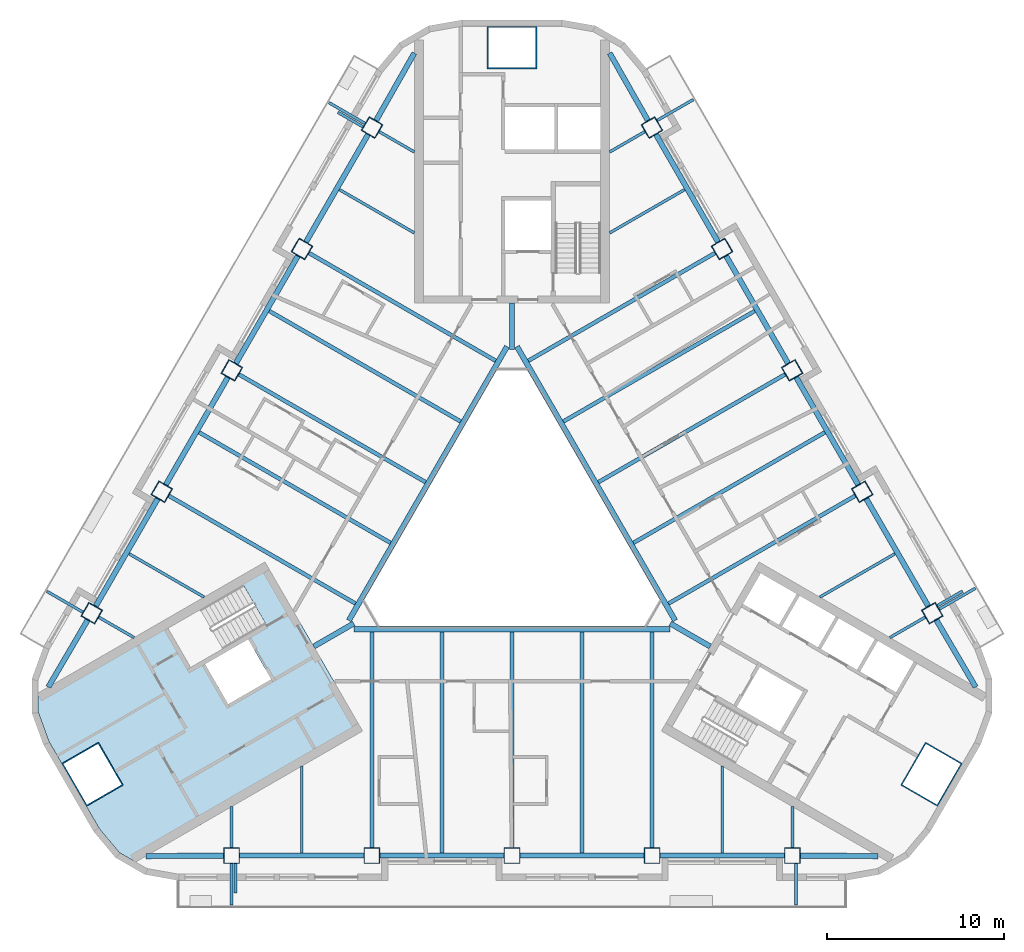
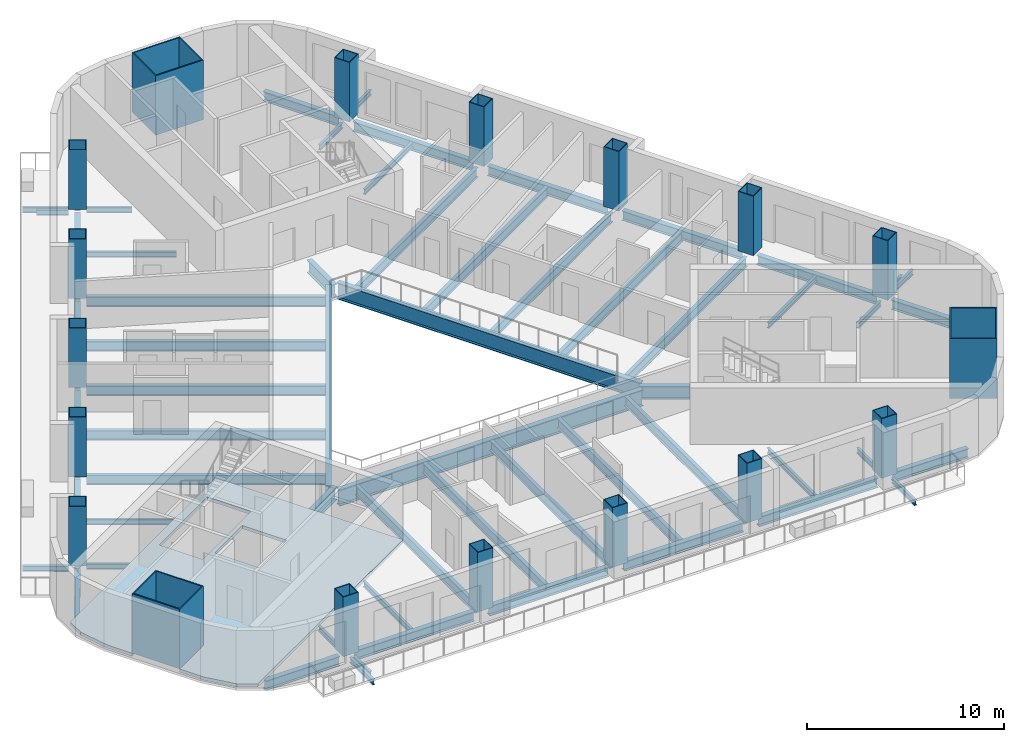
# One storey, part 1 of 14: 60 beams, 18 columns, 1 slab.
"""IFC4 building model written with IfcOpenShell, lengths in metres."""

from ifc_helpers import new_model, si_unit, direction, frame, origin, origin_2d, place, context, subcontext, project, spatial, polyline, rectangle, hollow_rectangle, i_section, outline, extrude, material, layer, layer_set, material_profile, profile_set, type_object, element, save


model = new_model("IFC4")

# Units and contexts
model_context = context("Model", 3, precision=1e-05, world=origin(), true_north=direction((0.0, 1.0)))
body_context = subcontext(model_context, "Body", "Model", "MODEL_VIEW")
ifc_project = project(units=[si_unit("LENGTHUNIT", "METRE"), si_unit("AREAUNIT", "SQUARE_METRE"), si_unit("VOLUMEUNIT", "CUBIC_METRE"), si_unit("PLANEANGLEUNIT", "RADIAN"), si_unit("MASSUNIT", "GRAM", prefix="KILO")], contexts=[model_context])

# Site, building, storey
site_placement = place(None, origin())
site = spatial("IfcSite", under=ifc_project, at=site_placement, CompositionType="ELEMENT")
building_placement = place(site_placement, origin())
building = spatial("IfcBuilding", under=site, at=building_placement, Name="Apuvela Tower Hotel", CompositionType="ELEMENT")
storey_placement = place(building_placement, frame((0.0, 0.0, 116.800048828125)))
storey = spatial("IfcBuildingStorey", under=building, at=storey_placement, Name="L27", CompositionType="ELEMENT", Elevation=116.800048828125)

# Columns
ifc_material_1 = material(Name="Steel S460", Category="steel")
ifc_material_profile_1 = material_profile(ifc_material_1, hollow_rectangle(XDim=2.800048828125, YDim=2.39990234375, WallThickness=0.070068359375, at=origin_2d()), Name="BOX 2800x2400x70")
ifc_material_2 = material(Name="Concrete C80/95", Category="concrete")
ifc_material_profile_2 = material_profile(ifc_material_2, rectangle(XDim=2.659912109375, YDim=2.260009765625, at=origin_2d()), Name="Concrete C80/95 infill")
ifc_profile_set_1 = profile_set([ifc_material_profile_1, ifc_material_profile_2], Name="Steel S460")
column_type_1 = type_object("IfcColumnType", Name="STR-MC mega column BOX 2800x2400x70", PredefinedType="COLUMN", material=ifc_profile_set_1)
for number, where, z_axis, x_axis, name in (
    (1, (0.0, 27.300048828125, 0.0), (0.0, 0.0, 1.0), (1.0, 0.0, 0.0), "Mega column MC2 N"),
    (2, (-23.642578125, -13.64990234375, 0.0), (0.0, 0.0, 1.0), (-0.5, 0.866025403784, 0.0), "Mega column MC2 SW"),
    (3, (23.642578125, -13.64990234375, 0.0), (0.0, 0.0, 1.0), (0.5, 0.866025403784, 0.0), "Mega column MC2 SE"),
):
    element("IfcColumn", number, at=place(storey_placement, frame(where, z_axis=z_axis, x_axis=x_axis)), inside=storey, type_object=column_type_1, Name=name, PredefinedType="COLUMN", context=body_context, shape_type="SweptSolid", body=[
        extrude(hollow_rectangle(XDim=2.800048828125, YDim=2.39990234375, WallThickness=0.070068359375, at=origin_2d()), origin(), (0.0, 0.0, 1.0), 3.699951171875),
    ])
ifc_material_profile_3 = material_profile(ifc_material_1, hollow_rectangle(XDim=0.89990234375, YDim=0.89990234375, WallThickness=0.0400390625, at=origin_2d()), Name="BOX 900x900x40")
ifc_material_profile_4 = material_profile(ifc_material_2, rectangle(XDim=0.820068359375, YDim=0.820068359375, at=origin_2d()), Name="Concrete C80/95 infill")
ifc_profile_set_2 = profile_set([ifc_material_profile_3, ifc_material_profile_4], Name="Steel S460")
column_type_2 = type_object("IfcColumnType", Name="STR-PC perimeter column BOX 900x900x40", PredefinedType="COLUMN", material=ifc_profile_set_2)
for number, where, z_axis, x_axis, name in (
    (4, (-15.800048828125, -18.22998046875, 0.0), (0.0, 0.0, 1.0), (-1.0, 0.0, 0.0), "Perimeter column C3 S1"),
    (5, (-7.89990234375, -18.22998046875, 0.0), (0.0, 0.0, 1.0), (-1.0, 0.0, 0.0), "Perimeter column C3 S2"),
    (6, (0.0, -18.22998046875, 0.0), (0.0, 0.0, 1.0), (-1.0, 0.0, 0.0), "Perimeter column C3 S3"),
    (7, (7.89990234375, -18.22998046875, 0.0), (0.0, 0.0, 1.0), (-1.0, 0.0, 0.0), "Perimeter column C3 S4"),
    (8, (15.800048828125, -18.22998046875, 0.0), (0.0, 0.0, 1.0), (-1.0, 0.0, 0.0), "Perimeter column C3 S5"),
    (9, (23.6875, -4.568115234375, 0.0), (0.0, 0.0, 1.0), (-0.5, 0.866025403784, 0.0), "Perimeter column C3 NE1"),
    (10, (19.737548828125, 2.2734375, 0.0), (0.0, 0.0, 1.0), (-0.5, 0.866025403784, 0.0), "Perimeter column C3 NE2"),
    (11, (15.78759765625, 9.114990234375, 0.0), (0.0, 0.0, 1.0), (-0.5, 0.866025403784, 0.0), "Perimeter column C3 NE3"),
    (12, (11.837646484375, 15.95654296875, 0.0), (0.0, 0.0, 1.0), (-0.5, 0.866025403784, 0.0), "Perimeter column C3 NE4"),
    (13, (7.8876953125, 22.798095703125, 0.0), (0.0, 0.0, 1.0), (-0.5, 0.866025403784, 0.0), "Perimeter column C3 NE5"),
    (14, (-7.8876953125, 22.798095703125, 0.0), (0.0, 0.0, 1.0), (0.5, 0.866025403784, 0.0), "Perimeter column C3 NW1"),
    (15, (-11.837646484375, 15.95654296875, 0.0), (0.0, 0.0, 1.0), (0.5, 0.866025403784, 0.0), "Perimeter column C3 NW2"),
    (16, (-15.78759765625, 9.114990234375, 0.0), (0.0, 0.0, 1.0), (0.5, 0.866025403784, 0.0), "Perimeter column C3 NW3"),
    (17, (-19.737548828125, 2.2734375, 0.0), (0.0, 0.0, 1.0), (0.5, 0.866025403784, 0.0), "Perimeter column C3 NW4"),
    (18, (-23.6875, -4.568115234375, 0.0), (0.0, 0.0, 1.0), (0.5, 0.866025403784, 0.0), "Perimeter column C3 NW5"),
):
    element("IfcColumn", number, at=place(storey_placement, frame(where, z_axis=z_axis, x_axis=x_axis)), inside=storey, type_object=column_type_2, Name=name, PredefinedType="COLUMN", context=body_context, shape_type="SweptSolid", body=[
        extrude(hollow_rectangle(XDim=0.89990234375, YDim=0.89990234375, WallThickness=0.0400390625, at=origin_2d()), origin(), (0.0, 0.0, 1.0), 3.699951171875),
    ])

# Beams
ifc_material_3 = material(Name="Steel S355", Category="steel")
ifc_material_profile_5 = material_profile(ifc_material_3, i_section(OverallWidth=0.159912109375, OverallDepth=0.330078125, WebThickness=0.007568359375, FlangeThickness=0.011474609375, at=origin_2d()), Name="IPE 330")
ifc_profile_set_3 = profile_set([ifc_material_profile_5], Name="Steel S355")
beam_type_1 = type_object("IfcBeamType", Name="ENV-BALCONY-BEAM-IPE330", PredefinedType="BEAM", material=ifc_profile_set_3)
beam_1_placement = place(storey_placement, frame((-15.800048828125, -18.679931640625, -0.31494140625), z_axis=(0.0, -1.0, 0.0), x_axis=(1.0, 0.0, 0.0)))
element("IfcBeam", 19, at=beam_1_placement, inside=storey, type_object=beam_type_1, Name="Balcony cantilever beam S1 L27", PredefinedType="BEAM", context=body_context, shape_type="SweptSolid", body=[
    extrude(i_section(OverallWidth=0.159912109375, OverallDepth=0.330078125, WebThickness=0.007568359375, FlangeThickness=0.011474609375, at=origin_2d()), origin(), (0.0, 0.0, 1.0), 2.35009765625),
])
beam_2_placement = place(storey_placement, frame((-15.580078125, -18.679931640625, -0.31494140625), z_axis=(0.0, -1.0, 0.0), x_axis=(1.0, 0.0, 0.0)))
element("IfcBeam", 20, at=beam_2_placement, inside=storey, type_object=beam_type_1, Name="Balcony cantilever beam S2 L27", PredefinedType="BEAM", context=body_context, shape_type="SweptSolid", body=[
    extrude(i_section(OverallWidth=0.159912109375, OverallDepth=0.330078125, WebThickness=0.007568359375, FlangeThickness=0.011474609375, at=origin_2d()), origin(), (0.0, 0.0, 1.0), 1.650146484375),
])
for number, where, z_axis, x_axis, name in (
    (21, (16.0, -18.679931640625, -0.31494140625), (0.0, -1.0, 0.0), (1.0, 0.0, 0.0), "Balcony cantilever beam S3 L27"),
    (22, (24.077392578125, -4.34326171875, -0.31494140625), (0.866016039709, 0.500016218704, 0.0), (-0.500016218704, 0.866016039709, 0.0), "Balcony cantilever beam NE1 L27"),
):
    element("IfcBeam", number, at=place(storey_placement, frame(where, z_axis=z_axis, x_axis=x_axis)), inside=storey, type_object=beam_type_1, Name=name, PredefinedType="BEAM", context=body_context, shape_type="SweptSolid", body=[
        extrude(i_section(OverallWidth=0.159912109375, OverallDepth=0.330078125, WebThickness=0.007568359375, FlangeThickness=0.011474609375, at=origin_2d()), origin(), (0.0, 0.0, 1.0), 2.35009765625),
    ])
beam_3_placement = place(storey_placement, frame((23.96728515625, -4.152587890625, -0.31494140625), z_axis=(0.866040211805, 0.499974350878, 0.0), x_axis=(-0.499974350878, 0.866040211805, 0.0)))
element("IfcBeam", 23, at=beam_3_placement, inside=storey, type_object=beam_type_1, Name="Balcony cantilever beam NE2 L27", PredefinedType="BEAM", context=body_context, shape_type="SweptSolid", body=[
    extrude(i_section(OverallWidth=0.159912109375, OverallDepth=0.330078125, WebThickness=0.007568359375, FlangeThickness=0.011474609375, at=origin_2d()), origin(), (0.0, 0.0, 1.0), 1.64990234375),
])
beam_4_placement = place(storey_placement, frame((8.177490234375, 23.1962890625, -0.31494140625), z_axis=(0.865990062348, 0.500061208168, 0.0), x_axis=(-0.500061208168, 0.865990062348, 0.0)))
element("IfcBeam", 24, at=beam_4_placement, inside=storey, type_object=beam_type_1, Name="Balcony cantilever beam NE3 L27", PredefinedType="BEAM", context=body_context, shape_type="SweptSolid", body=[
    extrude(i_section(OverallWidth=0.159912109375, OverallDepth=0.330078125, WebThickness=0.007568359375, FlangeThickness=0.011474609375, at=origin_2d()), origin(), (0.0, 0.0, 1.0), 2.349853515625),
])
beam_5_placement = place(storey_placement, frame((-8.27734375, 23.023193359375, -0.31494140625), z_axis=(-0.866016039709, 0.500016218704, 0.0), x_axis=(-0.500016218704, -0.866016039709, 0.0)))
element("IfcBeam", 25, at=beam_5_placement, inside=storey, type_object=beam_type_1, Name="Balcony cantilever beam NW1 L27", PredefinedType="BEAM", context=body_context, shape_type="SweptSolid", body=[
    extrude(i_section(OverallWidth=0.159912109375, OverallDepth=0.330078125, WebThickness=0.007568359375, FlangeThickness=0.011474609375, at=origin_2d()), origin(), (0.0, 0.0, 1.0), 2.35009765625),
])
beam_6_placement = place(storey_placement, frame((-8.387451171875, 22.832763671875, -0.31494140625), z_axis=(-0.866040211805, 0.499974350878, 0.0), x_axis=(-0.499974350878, -0.866040211805, 0.0)))
element("IfcBeam", 26, at=beam_6_placement, inside=storey, type_object=beam_type_1, Name="Balcony cantilever beam NW2 L27", PredefinedType="BEAM", context=body_context, shape_type="SweptSolid", body=[
    extrude(i_section(OverallWidth=0.159912109375, OverallDepth=0.330078125, WebThickness=0.007568359375, FlangeThickness=0.011474609375, at=origin_2d()), origin(), (0.0, 0.0, 1.0), 1.64990234375),
])
beam_7_placement = place(storey_placement, frame((-24.177490234375, -4.516357421875, -0.31494140625), z_axis=(-0.865990062348, 0.500061208168, 0.0), x_axis=(-0.500061208168, -0.865990062348, 0.0)))
element("IfcBeam", 27, at=beam_7_placement, inside=storey, type_object=beam_type_1, Name="Balcony cantilever beam NW3 L27", PredefinedType="BEAM", context=body_context, shape_type="SweptSolid", body=[
    extrude(i_section(OverallWidth=0.159912109375, OverallDepth=0.330078125, WebThickness=0.007568359375, FlangeThickness=0.011474609375, at=origin_2d()), origin(), (0.0, 0.0, 1.0), 2.349853515625),
])
ifc_material_profile_6 = material_profile(ifc_material_3, i_section(OverallWidth=0.159912109375, OverallDepth=0.330078125, WebThickness=0.007568359375, FlangeThickness=0.011474609375, at=origin_2d()), Name="IPE 330")
ifc_profile_set_4 = profile_set([ifc_material_profile_6], Name="Steel S355")
beam_type_2 = type_object("IfcBeamType", Name="STR-B floor beam IPE 330", PredefinedType="BEAM", material=ifc_profile_set_4)
beam_8_placement = place(storey_placement, frame((23.2978515625, -4.793212890625, -0.31494140625), z_axis=(-0.866000531106, -0.500043078269, 0.0), x_axis=(0.500043078269, -0.866000531106, 0.0)))
element("IfcBeam", 28, at=beam_8_placement, inside=storey, type_object=beam_type_2, Name="Floor beam B1 NE1", PredefinedType="BEAM", context=body_context, shape_type="SweptSolid", body=[
    extrude(i_section(OverallWidth=0.159912109375, OverallDepth=0.330078125, WebThickness=0.007568359375, FlangeThickness=0.011474609375, at=origin_2d()), origin(), (0.0, 0.0, 1.0), 2.306884765625),
])
for number, where, z_axis, x_axis, name in (
    (29, (21.582763671875, -1.222412109375, -0.31494140625), (-0.866015056278, -0.500017921979, 0.0), (0.500017921979, -0.866015056278, 0.0), "Floor beam B1 NE2"),
    (30, (9.732666015625, 19.302490234375, -0.31494140625), (-0.866015056278, -0.500017921979, 0.0), (0.500017921979, -0.866015056278, 0.0), "Floor beam B1 NE8"),
):
    element("IfcBeam", number, at=place(storey_placement, frame(where, z_axis=z_axis, x_axis=x_axis)), inside=storey, type_object=beam_type_2, Name=name, PredefinedType="BEAM", context=body_context, shape_type="SweptSolid", body=[
        extrude(i_section(OverallWidth=0.159912109375, OverallDepth=0.330078125, WebThickness=0.007568359375, FlangeThickness=0.011474609375, at=origin_2d()), origin(), (0.0, 0.0, 1.0), 4.887451171875),
    ])
for number, where, z_axis, x_axis, name in (
    (31, (7.497802734375, 22.5732421875, -0.31494140625), (-0.866000531106, -0.500043078269, 0.0), (0.500043078269, -0.866000531106, 0.0), "Floor beam B1 NE9"),
    (32, (-7.497802734375, 22.5732421875, -0.31494140625), (0.866000531106, -0.500043078269, 0.0), (0.500043078269, 0.866000531106, 0.0), "Floor beam B1 NW1"),
):
    element("IfcBeam", number, at=place(storey_placement, frame(where, z_axis=z_axis, x_axis=x_axis)), inside=storey, type_object=beam_type_2, Name=name, PredefinedType="BEAM", context=body_context, shape_type="SweptSolid", body=[
        extrude(i_section(OverallWidth=0.159912109375, OverallDepth=0.330078125, WebThickness=0.007568359375, FlangeThickness=0.011474609375, at=origin_2d()), origin(), (0.0, 0.0, 1.0), 2.306884765625),
    ])
for number, where, z_axis, x_axis, name in (
    (33, (-9.732666015625, 19.302490234375, -0.31494140625), (0.866015056278, -0.500017921979, 0.0), (0.500017921979, 0.866015056278, 0.0), "Floor beam B1 NW2"),
    (34, (-21.582763671875, -1.222412109375, -0.31494140625), (0.866015056278, -0.500017921979, 0.0), (0.500017921979, 0.866015056278, 0.0), "Floor beam B1 NW8"),
):
    element("IfcBeam", number, at=place(storey_placement, frame(where, z_axis=z_axis, x_axis=x_axis)), inside=storey, type_object=beam_type_2, Name=name, PredefinedType="BEAM", context=body_context, shape_type="SweptSolid", body=[
        extrude(i_section(OverallWidth=0.159912109375, OverallDepth=0.330078125, WebThickness=0.007568359375, FlangeThickness=0.011474609375, at=origin_2d()), origin(), (0.0, 0.0, 1.0), 4.887451171875),
    ])
beam_9_placement = place(storey_placement, frame((-23.2978515625, -4.793212890625, -0.31494140625), z_axis=(0.866000531106, -0.500043078269, 0.0), x_axis=(0.500043078269, 0.866000531106, 0.0)))
element("IfcBeam", 35, at=beam_9_placement, inside=storey, type_object=beam_type_2, Name="Floor beam B1 NW9", PredefinedType="BEAM", context=body_context, shape_type="SweptSolid", body=[
    extrude(i_section(OverallWidth=0.159912109375, OverallDepth=0.330078125, WebThickness=0.007568359375, FlangeThickness=0.011474609375, at=origin_2d()), origin(), (0.0, 0.0, 1.0), 2.306884765625),
])
beam_10_placement = place(storey_placement, frame((-15.800048828125, -17.780029296875, -0.31494140625), z_axis=(0.0, 1.0, 0.0), x_axis=(-1.0, 0.0, 0.0)))
element("IfcBeam", 36, at=beam_10_placement, inside=storey, type_object=beam_type_2, Name="Floor beam B1 S1", PredefinedType="BEAM", context=body_context, shape_type="SweptSolid", body=[
    extrude(i_section(OverallWidth=0.159912109375, OverallDepth=0.330078125, WebThickness=0.007568359375, FlangeThickness=0.011474609375, at=origin_2d()), origin(), (0.0, 0.0, 1.0), 2.30712890625),
])
for number, where, z_axis, x_axis, name in (
    (37, (-11.85009765625, -18.080078125, -0.31494140625), (0.0, 1.0, 0.0), (-1.0, 0.0, 0.0), "Floor beam B1 S2"),
    (38, (11.85009765625, -18.080078125, -0.31494140625), (0.0, 1.0, 0.0), (-1.0, 0.0, 0.0), "Floor beam B1 S8"),
):
    element("IfcBeam", number, at=place(storey_placement, frame(where, z_axis=z_axis, x_axis=x_axis)), inside=storey, type_object=beam_type_2, Name=name, PredefinedType="BEAM", context=body_context, shape_type="SweptSolid", body=[
        extrude(i_section(OverallWidth=0.159912109375, OverallDepth=0.330078125, WebThickness=0.007568359375, FlangeThickness=0.011474609375, at=origin_2d()), origin(), (0.0, 0.0, 1.0), 4.8876953125),
    ])
beam_11_placement = place(storey_placement, frame((15.800048828125, -17.780029296875, -0.31494140625), z_axis=(0.0, 1.0, 0.0), x_axis=(-1.0, 0.0, 0.0)))
element("IfcBeam", 39, at=beam_11_placement, inside=storey, type_object=beam_type_2, Name="Floor beam B1 S9", PredefinedType="BEAM", context=body_context, shape_type="SweptSolid", body=[
    extrude(i_section(OverallWidth=0.159912109375, OverallDepth=0.330078125, WebThickness=0.007568359375, FlangeThickness=0.011474609375, at=origin_2d()), origin(), (0.0, 0.0, 1.0), 2.30712890625),
])
ifc_material_profile_7 = material_profile(ifc_material_3, i_section(OverallWidth=0.219970703125, OverallDepth=0.60009765625, WebThickness=0.011962890625, FlangeThickness=0.01904296875, at=origin_2d()), Name="IPE 600")
ifc_profile_set_5 = profile_set([ifc_material_profile_7], Name="Steel S355")
beam_type_3 = type_object("IfcBeamType", Name="STR-B floor beam IPE 600", PredefinedType="BEAM", material=ifc_profile_set_5)
beam_12_placement = place(storey_placement, frame((19.347900390625, 2.04833984375, -0.449951171875), z_axis=(-0.866028751965, -0.499994200737, 0.0), x_axis=(0.499994200737, -0.866028751965, 0.0)))
element("IfcBeam", 40, at=beam_12_placement, inside=storey, type_object=beam_type_3, Name="Floor beam B8 NE3", PredefinedType="BEAM", context=body_context, shape_type="SweptSolid", body=[
    extrude(i_section(OverallWidth=0.219970703125, OverallDepth=0.60009765625, WebThickness=0.011962890625, FlangeThickness=0.01904296875, at=origin_2d()), origin(), (0.0, 0.0, 1.0), 12.157958984375),
])
beam_13_placement = place(storey_placement, frame((17.6328125, 5.619140625, -0.449951171875), z_axis=(-0.866027636335, -0.499996133089, 0.0), x_axis=(0.499996133089, -0.866027636335, 0.0)))
element("IfcBeam", 41, at=beam_13_placement, inside=storey, type_object=beam_type_3, Name="Floor beam B8 NE4", PredefinedType="BEAM", context=body_context, shape_type="SweptSolid", body=[
    extrude(i_section(OverallWidth=0.219970703125, OverallDepth=0.60009765625, WebThickness=0.011962890625, FlangeThickness=0.01904296875, at=origin_2d()), origin(), (0.0, 0.0, 1.0), 12.4580078125),
])
beam_14_placement = place(storey_placement, frame((15.39794921875, 8.889892578125, -0.449951171875), z_axis=(-0.866028751965, -0.499994200737, 0.0), x_axis=(0.499994200737, -0.866028751965, 0.0)))
element("IfcBeam", 42, at=beam_14_placement, inside=storey, type_object=beam_type_3, Name="Floor beam B8 NE5", PredefinedType="BEAM", context=body_context, shape_type="SweptSolid", body=[
    extrude(i_section(OverallWidth=0.219970703125, OverallDepth=0.60009765625, WebThickness=0.011962890625, FlangeThickness=0.01904296875, at=origin_2d()), origin(), (0.0, 0.0, 1.0), 12.157958984375),
])
beam_15_placement = place(storey_placement, frame((13.6826171875, 12.460693359375, -0.449951171875), z_axis=(-0.866022737053, -0.500004618886, 0.0), x_axis=(0.500004618886, -0.866022737053, 0.0)))
element("IfcBeam", 43, at=beam_15_placement, inside=storey, type_object=beam_type_3, Name="Floor beam B8 NE6", PredefinedType="BEAM", context=body_context, shape_type="SweptSolid", body=[
    extrude(i_section(OverallWidth=0.219970703125, OverallDepth=0.60009765625, WebThickness=0.011962890625, FlangeThickness=0.01904296875, at=origin_2d()), origin(), (0.0, 0.0, 1.0), 12.4580078125),
])
for number, where, z_axis, x_axis, name in (
    (44, (11.447998046875, 15.731689453125, -0.449951171875), (-0.866025076934, -0.500000566121, 0.0), (0.500000566121, -0.866025076934, 0.0), "Floor beam B8 NE7"),
    (45, (-11.447998046875, 15.731689453125, -0.449951171875), (0.866025076934, -0.500000566121, 0.0), (0.500000566121, 0.866025076934, 0.0), "Floor beam B8 NW3"),
):
    element("IfcBeam", number, at=place(storey_placement, frame(where, z_axis=z_axis, x_axis=x_axis)), inside=storey, type_object=beam_type_3, Name=name, PredefinedType="BEAM", context=body_context, shape_type="SweptSolid", body=[
        extrude(i_section(OverallWidth=0.219970703125, OverallDepth=0.60009765625, WebThickness=0.011962890625, FlangeThickness=0.01904296875, at=origin_2d()), origin(), (0.0, 0.0, 1.0), 12.158203125),
    ])
beam_16_placement = place(storey_placement, frame((-13.6826171875, 12.460693359375, -0.449951171875), z_axis=(0.866022737053, -0.500004618886, 0.0), x_axis=(0.500004618886, 0.866022737053, 0.0)))
element("IfcBeam", 46, at=beam_16_placement, inside=storey, type_object=beam_type_3, Name="Floor beam B8 NW4", PredefinedType="BEAM", context=body_context, shape_type="SweptSolid", body=[
    extrude(i_section(OverallWidth=0.219970703125, OverallDepth=0.60009765625, WebThickness=0.011962890625, FlangeThickness=0.01904296875, at=origin_2d()), origin(), (0.0, 0.0, 1.0), 12.4580078125),
])
beam_17_placement = place(storey_placement, frame((-15.39794921875, 8.889892578125, -0.449951171875), z_axis=(0.866028751965, -0.499994200737, 0.0), x_axis=(0.499994200737, 0.866028751965, 0.0)))
element("IfcBeam", 47, at=beam_17_placement, inside=storey, type_object=beam_type_3, Name="Floor beam B8 NW5", PredefinedType="BEAM", context=body_context, shape_type="SweptSolid", body=[
    extrude(i_section(OverallWidth=0.219970703125, OverallDepth=0.60009765625, WebThickness=0.011962890625, FlangeThickness=0.01904296875, at=origin_2d()), origin(), (0.0, 0.0, 1.0), 12.157958984375),
])
beam_18_placement = place(storey_placement, frame((-17.6328125, 5.619140625, -0.449951171875), z_axis=(0.866027636335, -0.499996133089, 0.0), x_axis=(0.499996133089, 0.866027636335, 0.0)))
element("IfcBeam", 48, at=beam_18_placement, inside=storey, type_object=beam_type_3, Name="Floor beam B8 NW6", PredefinedType="BEAM", context=body_context, shape_type="SweptSolid", body=[
    extrude(i_section(OverallWidth=0.219970703125, OverallDepth=0.60009765625, WebThickness=0.011962890625, FlangeThickness=0.01904296875, at=origin_2d()), origin(), (0.0, 0.0, 1.0), 12.4580078125),
])
for number, where, z_axis, x_axis, name in (
    (49, (-19.347900390625, 2.04833984375, -0.449951171875), (0.866028751965, -0.499994200737, 0.0), (0.499994200737, 0.866028751965, 0.0), "Floor beam B8 NW7"),
    (50, (-7.89990234375, -17.780029296875, -0.449951171875), (0.0, 1.0, 0.0), (-1.0, 0.0, 0.0), "Floor beam B8 S3"),
):
    element("IfcBeam", number, at=place(storey_placement, frame(where, z_axis=z_axis, x_axis=x_axis)), inside=storey, type_object=beam_type_3, Name=name, PredefinedType="BEAM", context=body_context, shape_type="SweptSolid", body=[
        extrude(i_section(OverallWidth=0.219970703125, OverallDepth=0.60009765625, WebThickness=0.011962890625, FlangeThickness=0.01904296875, at=origin_2d()), origin(), (0.0, 0.0, 1.0), 12.157958984375),
    ])
beam_19_placement = place(storey_placement, frame((-3.949951171875, -18.080078125, -0.449951171875), z_axis=(0.0, 1.0, 0.0), x_axis=(-1.0, 0.0, 0.0)))
element("IfcBeam", 51, at=beam_19_placement, inside=storey, type_object=beam_type_3, Name="Floor beam B8 S4", PredefinedType="BEAM", context=body_context, shape_type="SweptSolid", body=[
    extrude(i_section(OverallWidth=0.219970703125, OverallDepth=0.60009765625, WebThickness=0.011962890625, FlangeThickness=0.01904296875, at=origin_2d()), origin(), (0.0, 0.0, 1.0), 12.4580078125),
])
beam_20_placement = place(storey_placement, frame((0.0, -17.780029296875, -0.449951171875), z_axis=(0.0, 1.0, 0.0), x_axis=(-1.0, 0.0, 0.0)))
element("IfcBeam", 52, at=beam_20_placement, inside=storey, type_object=beam_type_3, Name="Floor beam B8 S5", PredefinedType="BEAM", context=body_context, shape_type="SweptSolid", body=[
    extrude(i_section(OverallWidth=0.219970703125, OverallDepth=0.60009765625, WebThickness=0.011962890625, FlangeThickness=0.01904296875, at=origin_2d()), origin(), (0.0, 0.0, 1.0), 12.157958984375),
])
beam_21_placement = place(storey_placement, frame((3.949951171875, -18.080078125, -0.449951171875), z_axis=(0.0, 1.0, 0.0), x_axis=(-1.0, 0.0, 0.0)))
element("IfcBeam", 53, at=beam_21_placement, inside=storey, type_object=beam_type_3, Name="Floor beam B8 S6", PredefinedType="BEAM", context=body_context, shape_type="SweptSolid", body=[
    extrude(i_section(OverallWidth=0.219970703125, OverallDepth=0.60009765625, WebThickness=0.011962890625, FlangeThickness=0.01904296875, at=origin_2d()), origin(), (0.0, 0.0, 1.0), 12.4580078125),
])
beam_22_placement = place(storey_placement, frame((7.89990234375, -17.780029296875, -0.449951171875), z_axis=(0.0, 1.0, 0.0), x_axis=(-1.0, 0.0, 0.0)))
element("IfcBeam", 54, at=beam_22_placement, inside=storey, type_object=beam_type_3, Name="Floor beam B8 S7", PredefinedType="BEAM", context=body_context, shape_type="SweptSolid", body=[
    extrude(i_section(OverallWidth=0.219970703125, OverallDepth=0.60009765625, WebThickness=0.011962890625, FlangeThickness=0.01904296875, at=origin_2d()), origin(), (0.0, 0.0, 1.0), 12.157958984375),
])
ifc_material_profile_8 = material_profile(ifc_material_3, i_section(OverallWidth=0.302001953125, OverallDepth=1.008056640625, WebThickness=0.02099609375, FlangeThickness=0.0400390625, at=origin_2d()), Name="HE 1000 M")
ifc_profile_set_6 = profile_set([ifc_material_profile_8], Name="Steel S355")
beam_type_4 = type_object("IfcBeamType", Name="STR-G atrium ring girder HE 1000 M", PredefinedType="BEAM", material=ifc_profile_set_6)
for number, where, z_axis, x_axis, name in (
    (55, (-0.28076171875, 10.455810546875, -0.654052734375), (-0.500000611842, -0.866025050537, 0.0), (0.866025050537, -0.500000611842, 0.0), "Atrium ring girder G1 N-SW"),
    (56, (-8.91455078125, -5.470947265625, -0.654052734375), (1.0, 0.0, 0.0), (0.0, 1.0, 0.0), "Atrium ring girder G1 SW-SE"),
    (57, (9.1953125, -4.984619140625, -0.654052734375), (-0.500000611842, 0.866025050537, 0.0), (-0.866025050537, -0.500000611842, 0.0), "Atrium ring girder G1 SE-N"),
):
    element("IfcBeam", number, at=place(storey_placement, frame(where, z_axis=z_axis, x_axis=x_axis)), inside=storey, type_object=beam_type_4, Name=name, PredefinedType="BEAM", context=body_context, shape_type="SweptSolid", body=[
        extrude(i_section(OverallWidth=0.302001953125, OverallDepth=1.008056640625, WebThickness=0.02099609375, FlangeThickness=0.0400390625, at=origin_2d()), origin(), (0.0, 0.0, 1.0), 17.8291015625),
    ])
ifc_material_profile_9 = material_profile(ifc_material_3, i_section(OverallWidth=0.300048828125, OverallDepth=0.800048828125, WebThickness=0.017578125, FlangeThickness=0.032958984375, at=origin_2d()), Name="HE 800 B")
ifc_profile_set_7 = profile_set([ifc_material_profile_9], Name="Steel S355")
beam_type_5 = type_object("IfcBeamType", Name="STR-GT core tie beam HE 800 B", PredefinedType="BEAM", material=ifc_profile_set_7)
for number, where, z_axis, x_axis, name in (
    (58, (0.0, 12.89990234375, -0.550048828125), (0.0, -1.0, 0.0), (1.0, 0.0, 0.0), "Core tie beam GT1 N"),
    (59, (-11.171630859375, -6.449951171875, -0.550048828125), (0.865997922154, 0.500047596559, 0.0), (-0.500047596559, 0.865997922154, 0.0), "Core tie beam GT1 SW"),
    (60, (11.171630859375, -6.449951171875, -0.550048828125), (-0.865997922154, 0.500047596559, 0.0), (-0.500047596559, -0.865997922154, 0.0), "Core tie beam GT1 SE"),
):
    element("IfcBeam", number, at=place(storey_placement, frame(where, z_axis=z_axis, x_axis=x_axis)), inside=storey, type_object=beam_type_5, Name=name, PredefinedType="BEAM", context=body_context, shape_type="SweptSolid", body=[
        extrude(i_section(OverallWidth=0.300048828125, OverallDepth=0.800048828125, WebThickness=0.017578125, FlangeThickness=0.032958984375, at=origin_2d()), origin(), (0.0, 0.0, 1.0), 2.599853515625),
    ])
ifc_material_profile_10 = material_profile(ifc_material_3, i_section(OverallWidth=0.300048828125, OverallDepth=0.590087890625, WebThickness=0.012939453125, FlangeThickness=0.02490234375, at=origin_2d()), Name="HE 600 A")
ifc_profile_set_8 = profile_set([ifc_material_profile_10], Name="Steel S355")
beam_type_6 = type_object("IfcBeamType", Name="STR-SB spandrel beam HE 600 A", PredefinedType="SPANDREL", material=ifc_profile_set_8)
for number, where, z_axis, x_axis, name in (
    (61, (-15.35009765625, -18.22998046875, -0.445068359375), (1.0, 0.0, 0.0), (0.0, 1.0, 0.0), "Spandrel beam SB2 S1"),
    (62, (-7.449951171875, -18.22998046875, -0.445068359375), (1.0, 0.0, 0.0), (0.0, 1.0, 0.0), "Spandrel beam SB2 S2"),
    (63, (0.449951171875, -18.22998046875, -0.445068359375), (1.0, 0.0, 0.0), (0.0, 1.0, 0.0), "Spandrel beam SB2 S3"),
    (64, (8.35009765625, -18.22998046875, -0.445068359375), (1.0, 0.0, 0.0), (0.0, 1.0, 0.0), "Spandrel beam SB2 S4"),
    (65, (23.462646484375, -4.178466796875, -0.445068359375), (-0.499995173006, 0.866028190633, 0.0), (-0.866028190633, -0.499995173006, 0.0), "Spandrel beam SB2 NE1"),
    (66, (19.5126953125, 2.6630859375, -0.445068359375), (-0.499995173006, 0.866028190633, 0.0), (-0.866028190633, -0.499995173006, 0.0), "Spandrel beam SB2 NE2"),
    (67, (15.5625, 9.504638671875, -0.445068359375), (-0.499995173006, 0.866028190633, 0.0), (-0.866028190633, -0.499995173006, 0.0), "Spandrel beam SB2 NE3"),
    (68, (11.612548828125, 16.34619140625, -0.445068359375), (-0.499995173006, 0.866028190633, 0.0), (-0.866028190633, -0.499995173006, 0.0), "Spandrel beam SB2 NE4"),
    (69, (-8.112548828125, 22.408447265625, -0.445068359375), (-0.499995173006, -0.866028190633, 0.0), (0.866028190633, -0.499995173006, 0.0), "Spandrel beam SB2 NW1"),
    (70, (-12.0625, 15.56689453125, -0.445068359375), (-0.499995173006, -0.866028190633, 0.0), (0.866028190633, -0.499995173006, 0.0), "Spandrel beam SB2 NW2"),
    (71, (-16.0126953125, 8.725341796875, -0.445068359375), (-0.499995173006, -0.866028190633, 0.0), (0.866028190633, -0.499995173006, 0.0), "Spandrel beam SB2 NW3"),
    (72, (-19.962646484375, 1.8837890625, -0.445068359375), (-0.499995173006, -0.866028190633, 0.0), (0.866028190633, -0.499995173006, 0.0), "Spandrel beam SB2 NW4"),
):
    element("IfcBeam", number, at=place(storey_placement, frame(where, z_axis=z_axis, x_axis=x_axis)), inside=storey, type_object=beam_type_6, Name=name, PredefinedType="SPANDREL", context=body_context, shape_type="SweptSolid", body=[
        extrude(i_section(OverallWidth=0.300048828125, OverallDepth=0.590087890625, WebThickness=0.012939453125, FlangeThickness=0.02490234375, at=origin_2d()), origin(), (0.0, 0.0, 1.0), 7.0),
    ])
for number, where, z_axis, x_axis, name in (
    (73, (-16.25, -18.233154296875, -0.445068359375), (-0.999976528586, -0.006851443461, 0.0), (0.006851443461, -0.999976528586, 0.0), "Spandrel beam SB2 S1-SW"),
    (74, (16.25, -18.233154296875, -0.445068359375), (0.999976528586, -0.006851443461, 0.0), (0.006851443461, 0.999976528586, 0.0), "Spandrel beam SB2 S5-SE"),
    (75, (23.915283203125, -4.956298828125, -0.445068359375), (0.505951068275, -0.862562181244, 0.0), (0.862562181244, 0.505951068275, 0.0), "Spandrel beam SB2 NE1-SE"),
    (76, (7.665283203125, 23.189453125, -0.445068359375), (-0.494043860968, 0.869436980718, 0.0), (-0.869436980718, -0.494043860968, 0.0), "Spandrel beam SB2 NE5-N"),
    (77, (-7.665283203125, 23.189453125, -0.445068359375), (0.494043860968, 0.869436980718, 0.0), (-0.869436980718, 0.494043860968, 0.0), "Spandrel beam SB2 NW1-N"),
    (78, (-23.915283203125, -4.956298828125, -0.445068359375), (-0.505951068275, -0.862562181244, 0.0), (0.862562181244, -0.505951068275, 0.0), "Spandrel beam SB2 NW5-SW"),
):
    element("IfcBeam", number, at=place(storey_placement, frame(where, z_axis=z_axis, x_axis=x_axis)), inside=storey, type_object=beam_type_6, Name=name, PredefinedType="SPANDREL", context=body_context, shape_type="SweptSolid", body=[
        extrude(i_section(OverallWidth=0.300048828125, OverallDepth=0.590087890625, WebThickness=0.012939453125, FlangeThickness=0.02490234375, at=origin_2d()), origin(), (0.0, 0.0, 1.0), 4.3828125),
    ])

# Slab
ifc_material_4 = material(Name="Concrete C50/60", Category="concrete")
ifc_layer = layer(ifc_material_4, 0.199951171875)
ifc_layer_set = layer_set([ifc_layer], Name="COR-FLOOR-200")
slab_type = type_object("IfcSlabType", Name="COR-FLOOR-200", PredefinedType="FLOOR", material=ifc_layer_set)
slab_placement = place(storey_placement, frame((0.0, 0.0, -0.199951171875)))
element("IfcSlab", 79, at=slab_placement, inside=storey, type_object=slab_type, Name="Core floor SW", PredefinedType="FLOOR", context=body_context, shape_type="SweptSolid", body=[
    extrude(outline(polyline([(-26.711181640625, -9.07080078125), (-26.711181640625, -10.123291015625), (-26.109375, -11.77734375), (-25.381591796875, -13.03759765625), (-23.30322265625, -11.837646484375), (-21.9033203125, -14.262451171875), (-23.981689453125, -15.46240234375), (-23.254150390625, -16.72265625), (-22.122802734375, -18.071044921875), (-21.211181640625, -18.59716796875), (-8.421630859375, -11.213134765625), (-13.921630859375, -1.68701171875), (-26.711181640625, -9.07080078125)]), holes=[polyline([(-13.874267578125, -5.18115234375), (-18.112548828125, -7.628173828125), (-19.387451171875, -5.419921875), (-15.149169921875, -2.972900390625), (-13.874267578125, -5.18115234375)]), polyline([(-13.56982421875, -8.29638671875), (-15.99462890625, -9.6962890625), (-17.294677734375, -7.444580078125), (-14.869873046875, -6.044677734375), (-13.56982421875, -8.29638671875)])]), origin(), (0.0, 0.0, 1.0), 0.199951171875),
])

save(model, "model.ifc")
